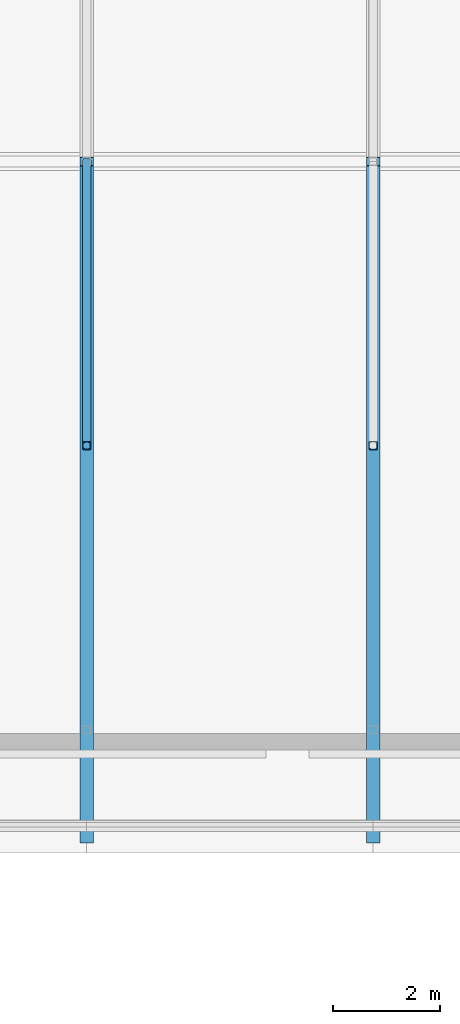
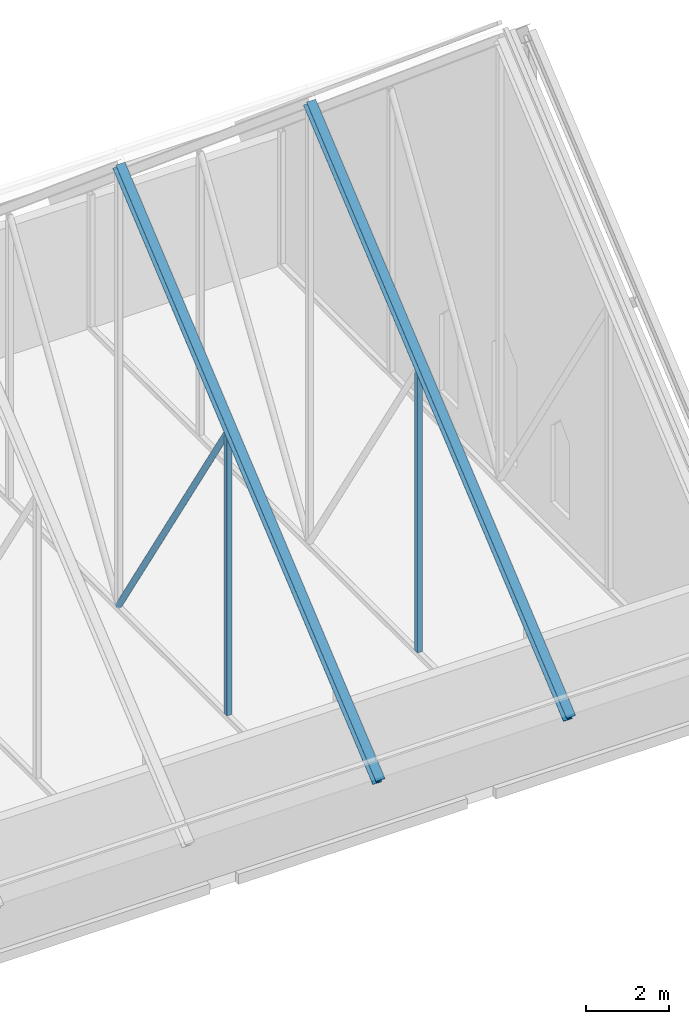
# One storey, part 9 of 29: 5 members.
"""IFC4 building model written with IfcOpenShell, lengths in metres."""

from ifc_helpers import new_model, si_unit, direction, frame, origin, origin_2d, place, context, subcontext, project, spatial, hollow_rectangle, hollow_circle, i_section, extrude, material, material_profile, profile_set, type_object, element, save


model = new_model("IFC4")

# Units and contexts
model_context = context("Model", 3, precision=1e-05, world=origin(), true_north=direction((0.0, 1.0)))
body_context = subcontext(model_context, "Body", "Model", "MODEL_VIEW")
ifc_project = project(units=[si_unit("LENGTHUNIT", "METRE"), si_unit("AREAUNIT", "SQUARE_METRE"), si_unit("VOLUMEUNIT", "CUBIC_METRE"), si_unit("PLANEANGLEUNIT", "RADIAN"), si_unit("MASSUNIT", "GRAM", prefix="KILO")], contexts=[model_context])

# Site, building, storey
site_placement = place(None, origin())
site = spatial("IfcSite", under=ifc_project, at=site_placement, CompositionType="ELEMENT")
building_placement = place(site_placement, origin())
building = spatial("IfcBuilding", under=site, at=building_placement, Name="Silangan Lancet Faculty of Sciences", CompositionType="ELEMENT")
storey_placement = place(building_placement, frame((0.0, 0.0, 54.300048828125)))
storey = spatial("IfcBuildingStorey", under=building, at=storey_placement, Name="L11", CompositionType="ELEMENT", Elevation=54.300048828125)

# Members
ifc_material_1 = material(Name="Steel STK400", Category="steel")
ifc_material_profile_1 = material_profile(ifc_material_1, hollow_circle(Radius=0.08251953125, WallThickness=0.0048828125, at=origin_2d()), Name="CHS 165.2x5.0")
ifc_profile_set_1 = profile_set([ifc_material_profile_1], Name="Steel STK400")
member_type_1 = type_object("IfcMemberType", Name="Truss diagonal CHS 165.2x5.0", PredefinedType="BRACE", material=ifc_profile_set_1)
member_placement = place(storey_placement, frame((17.862548828125, 46.800048828125, 0.14990234375), z_axis=(0.0, -0.535296081425, 0.84466449269), x_axis=(1.0, 0.0, 0.0)))
element("IfcMember", 1, at=member_placement, inside=storey, type_object=member_type_1, Name="Gable truss 3 diagonal S", PredefinedType="BRACE", context=body_context, shape_type="SweptSolid", body=[
    extrude(hollow_circle(Radius=0.08251953125, WallThickness=0.0048828125, at=origin_2d()), origin(), (0.0, 0.0, 1.0), 9.8779296875),
])
ifc_material_2 = material(Name="Steel STKR400", Category="steel")
ifc_material_profile_2 = material_profile(ifc_material_2, hollow_rectangle(XDim=0.14990234375, YDim=0.14990234375, WallThickness=0.006103515625, InnerFilletRadius=0.006103515625, OuterFilletRadius=0.011962890625, at=origin_2d()), Name="SHS 150x150x6.0")
ifc_profile_set_2 = profile_set([ifc_material_profile_2], Name="Steel STKR400")
member_type_2 = type_object("IfcMemberType", Name="Truss post SHS 150x150x6.0", PredefinedType="POST", material=ifc_profile_set_2)
for number, where, z_axis, x_axis, name in (
    (2, (17.862548828125, 41.512451171875, 0.14990234375), (0.0, 0.0, 1.0), (1.0, 0.0, 0.0), "Gable truss 3 mid post S"),
    (3, (23.19384765625, 41.512451171875, 0.14990234375), (0.0, 0.0, 1.0), (1.0, 0.0, 0.0), "Gable truss 4 mid post S"),
):
    element("IfcMember", number, at=place(storey_placement, frame(where, z_axis=z_axis, x_axis=x_axis)), inside=storey, type_object=member_type_2, Name=name, PredefinedType="POST", context=body_context, shape_type="SweptSolid", body=[
        extrude(hollow_rectangle(XDim=0.14990234375, YDim=0.14990234375, WallThickness=0.006103515625, InnerFilletRadius=0.006103515625, OuterFilletRadius=0.011962890625, at=origin_2d()), origin(), (0.0, 0.0, 1.0), 8.343505859375),
    ])
ifc_material_3 = material(Name="Steel SS400", Category="steel")
ifc_material_profile_3 = material_profile(ifc_material_3, i_section(OverallWidth=0.25, OverallDepth=0.25, WebThickness=0.009033203125, FlangeThickness=0.013916015625, FilletRadius=0.01611328125, at=origin_2d()), Name="H 250x250x9x14")
ifc_profile_set_3 = profile_set([ifc_material_profile_3], Name="Steel SS400")
member_type_3 = type_object("IfcMemberType", Name="Truss top chord H 250x250x9x14", PredefinedType="CHORD", material=ifc_profile_set_3)
for number, where, z_axis, x_axis, name in (
    (4, (17.862548828125, 34.199951171875, 2.5771484375), (0.0, 0.765707787529, 0.643188606955), (-1.0, 0.0, 0.0), "Gable truss 3 rafter S"),
    (5, (23.19384765625, 34.199951171875, 2.5771484375), (0.0, 0.765707787529, 0.643188606955), (-1.0, 0.0, 0.0), "Gable truss 4 rafter S"),
):
    element("IfcMember", number, at=place(storey_placement, frame(where, z_axis=z_axis, x_axis=x_axis)), inside=storey, type_object=member_type_3, Name=name, PredefinedType="CHORD", context=body_context, shape_type="SweptSolid", body=[
        extrude(i_section(OverallWidth=0.25, OverallDepth=0.25, WebThickness=0.009033203125, FlangeThickness=0.013916015625, FilletRadius=0.01611328125, at=origin_2d()), origin(), (0.0, 0.0, 1.0), 16.45556640625),
    ])

save(model, "model.ifc")
